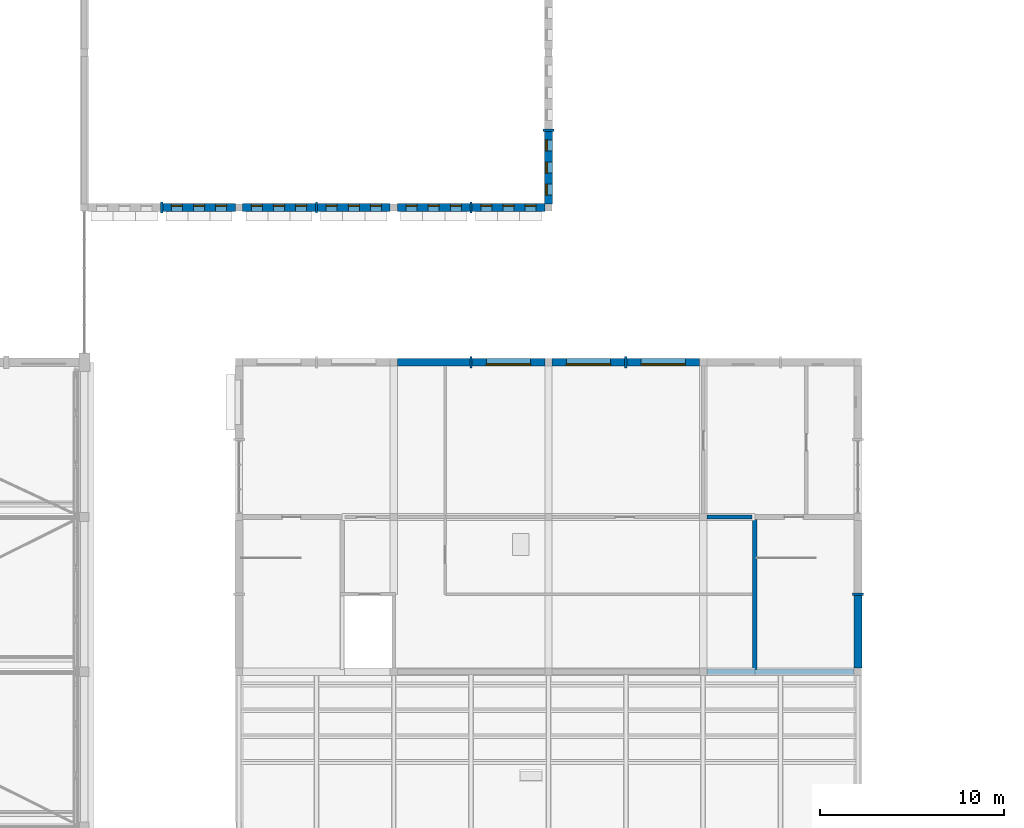
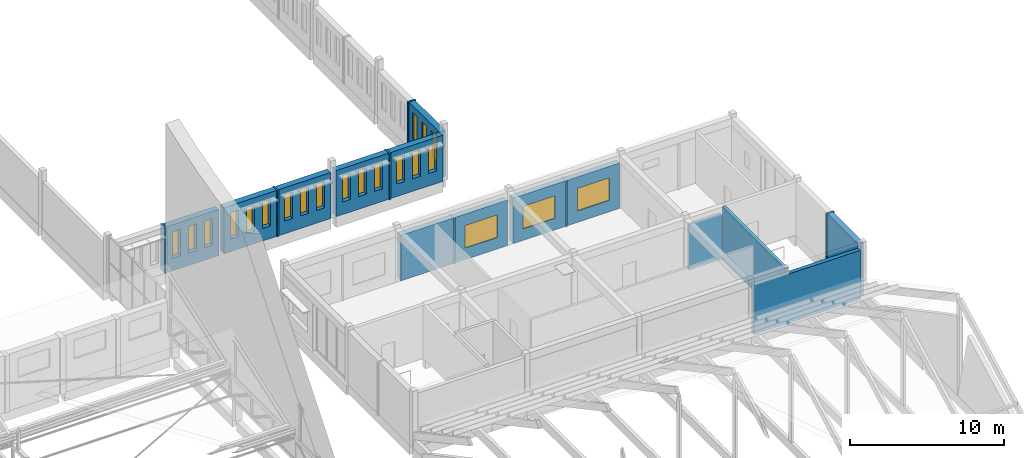
# One storey, part 86 of 101: 21 walls, 21 windows, 21 openings.
"""IFC4 building model written with IfcOpenShell, lengths in metres."""

from ifc_helpers import new_model, si_unit, direction, frame, frame_2d, origin, place, context, subcontext, project, spatial, rectangle, extrude, material, layer, layer_set, type_object, element, fill, save


model = new_model("IFC4")

# Units and contexts
model_context = context("Model", 3, precision=1e-05, world=origin(), true_north=direction((0.0, 1.0)))
body_context = subcontext(model_context, "Body", "Model", "MODEL_VIEW")
ifc_project = project(units=[si_unit("LENGTHUNIT", "METRE"), si_unit("AREAUNIT", "SQUARE_METRE"), si_unit("VOLUMEUNIT", "CUBIC_METRE"), si_unit("PLANEANGLEUNIT", "RADIAN"), si_unit("MASSUNIT", "GRAM", prefix="KILO")], contexts=[model_context])

# Site, building, storey
site_placement = place(None, origin())
site = spatial("IfcSite", under=ifc_project, at=site_placement, CompositionType="ELEMENT")
building_placement = place(site_placement, origin())
building = spatial("IfcBuilding", under=site, at=building_placement, Name="Fescue Hill Polytechnic", CompositionType="ELEMENT")
storey_placement = place(building_placement, frame((0.0, 0.0, 9.0)))
storey = spatial("IfcBuildingStorey", under=building, at=storey_placement, Name="L02", CompositionType="ELEMENT", Elevation=9.0)

# Wall
ifc_material_1 = material(Name="Concrete 40 MPa", Category="concrete")
ifc_layer_1 = layer(ifc_material_1, 0.25)
ifc_layer_set_1 = layer_set([ifc_layer_1], Name="Concrete 40 MPa")
wall_type_1 = type_object("IfcWallType", Name="Core wall 250", PredefinedType="SHEAR", material=ifc_layer_set_1)
wall_1_placement = place(storey_placement, frame((154.0, 33.72509765625, 0.0), z_axis=(0.0, 0.0, 1.0), x_axis=(0.0, 1.0, 0.0)))
element("IfcWall", 1, at=wall_1_placement, inside=storey, type_object=wall_type_1, Name="CW-L02-ST-V3-2-31", PredefinedType="SHEAR", context=body_context, shape_type="SweptSolid", body=[
    extrude(rectangle(XDim=8.14990234375, YDim=0.25, at=frame_2d((4.074951171875, 0.0))), origin(), (0.0, 0.0, 1.0), 4.199951171875),
])

# Wall, openings, windows
ifc_layer_2 = layer(ifc_material_1, 0.449951171875)
ifc_layer_set_2 = layer_set([ifc_layer_2], Name="Concrete 40 MPa")
wall_type_2 = type_object("IfcWallType", Name="Exterior wall board-marked concrete 450", PredefinedType="SOLIDWALL", material=ifc_layer_set_2)
wall_2_placement = place(storey_placement, frame((121.860107421875, 58.800048828125, 0.0), z_axis=(0.0, 0.0, 1.0), x_axis=(1.0, 0.0, 0.0)))
wall_2 = element("IfcWall", 2, at=wall_2_placement, inside=storey, type_object=wall_type_2, Name="EW-L02-V2-15", PredefinedType="SOLIDWALL", context=body_context, shape_type="SweptSolid", body=[
    extrude(rectangle(XDim=3.93994140625, YDim=0.449951171875, at=frame_2d((1.969970703125, 0.0))), origin(), (0.0, 0.0, 1.0), 3.64990234375),
])
opening_1_placement = place(wall_2_placement, frame((0.469970703125, 0.0, 1.0)))
opening_1 = element("IfcOpeningElement", 3, at=opening_1_placement, cuts=wall_2, Name="Opening W6", PredefinedType="OPENING", context=body_context, shape_type="SweptSolid", body=[
    extrude(rectangle(XDim=0.60009765625, YDim=2.10009765625, at=frame_2d((0.300048828125, 1.050048828125))), frame((0.0, 0.23486328125, 0.0), z_axis=(0.0, -1.0, 0.0), x_axis=(1.0, 0.0, 0.0)), (0.0, 0.0, 1.0), 0.469970703125),
])
opening_2_placement = place(wall_2_placement, frame((1.669921875, 0.0, 1.0)))
opening_2 = element("IfcOpeningElement", 4, at=opening_2_placement, cuts=wall_2, Name="Opening W6", PredefinedType="OPENING", context=body_context, shape_type="SweptSolid", body=[
    extrude(rectangle(XDim=0.60009765625, YDim=2.10009765625, at=frame_2d((0.300048828125, 1.050048828125))), frame((0.0, 0.23486328125, 0.0), z_axis=(0.0, -1.0, 0.0), x_axis=(1.0, 0.0, 0.0)), (0.0, 0.0, 1.0), 0.469970703125),
])
opening_3_placement = place(wall_2_placement, frame((2.8701171875, 0.0, 1.0)))
opening_3 = element("IfcOpeningElement", 5, at=opening_3_placement, cuts=wall_2, Name="Opening W6", PredefinedType="OPENING", context=body_context, shape_type="SweptSolid", body=[
    extrude(rectangle(XDim=0.60009765625, YDim=2.10009765625, at=frame_2d((0.300048828125, 1.050048828125))), frame((0.0, 0.23486328125, 0.0), z_axis=(0.0, -1.0, 0.0), x_axis=(1.0, 0.0, 0.0)), (0.0, 0.0, 1.0), 0.469970703125),
])
ifc_material_2 = material(Name="Powder-coated aluminium and glass", Category="aluminium")
window_type_1 = type_object("IfcWindowType", Name="Window slot 600x2100", PartitioningType="SINGLE_PANEL", PredefinedType="WINDOW", material=ifc_material_2)
window_1_placement = place(opening_1_placement, origin())
window_1 = element("IfcWindow", 6, at=window_1_placement, inside=storey, type_object=window_type_1, Name="WN-L02-V2-10", OverallHeight=2.10009765625, OverallWidth=0.60009765625, PartitioningType="SINGLE_PANEL", PredefinedType="WINDOW", context=body_context, shape_type="SweptSolid", body=[
    extrude(rectangle(XDim=0.60009765625, YDim=2.10009765625, at=frame_2d((0.300048828125, 1.050048828125))), frame((0.0, 0.135009765625, 0.0), z_axis=(0.0, -1.0, 0.0), x_axis=(1.0, 0.0, 0.0)), (0.0, 0.0, 1.0), 0.06005859375),
])
fill(opening_1, window_1)
window_2_placement = place(opening_2_placement, origin())
window_2 = element("IfcWindow", 7, at=window_2_placement, inside=storey, type_object=window_type_1, Name="WN-L02-V2-11", OverallHeight=2.10009765625, OverallWidth=0.60009765625, PartitioningType="SINGLE_PANEL", PredefinedType="WINDOW", context=body_context, shape_type="SweptSolid", body=[
    extrude(rectangle(XDim=0.60009765625, YDim=2.10009765625, at=frame_2d((0.300048828125, 1.050048828125))), frame((0.0, 0.135009765625, 0.0), z_axis=(0.0, -1.0, 0.0), x_axis=(1.0, 0.0, 0.0)), (0.0, 0.0, 1.0), 0.06005859375),
])
fill(opening_2, window_2)
window_3_placement = place(opening_3_placement, origin())
window_3 = element("IfcWindow", 8, at=window_3_placement, inside=storey, type_object=window_type_1, Name="WN-L02-V2-12", OverallHeight=2.10009765625, OverallWidth=0.60009765625, PartitioningType="SINGLE_PANEL", PredefinedType="WINDOW", context=body_context, shape_type="SweptSolid", body=[
    extrude(rectangle(XDim=0.60009765625, YDim=2.10009765625, at=frame_2d((0.300048828125, 1.050048828125))), frame((0.0, 0.135009765625, 0.0), z_axis=(0.0, -1.0, 0.0), x_axis=(1.0, 0.0, 0.0)), (0.0, 0.0, 1.0), 0.06005859375),
])
fill(opening_3, window_3)

wall_3_placement = place(storey_placement, frame((126.199951171875, 58.800048828125, 0.0), z_axis=(0.0, 0.0, 1.0), x_axis=(1.0, 0.0, 0.0)))
wall_3 = element("IfcWall", 9, at=wall_3_placement, inside=storey, type_object=wall_type_2, Name="EW-L02-V2-16", PredefinedType="SOLIDWALL", context=body_context, shape_type="SweptSolid", body=[
    extrude(rectangle(XDim=3.93994140625, YDim=0.449951171875, at=frame_2d((1.969970703125, 0.0))), origin(), (0.0, 0.0, 1.0), 3.64990234375),
])
opening_4_placement = place(wall_3_placement, frame((0.469970703125, 0.0, 1.0)))
opening_4 = element("IfcOpeningElement", 10, at=opening_4_placement, cuts=wall_3, Name="Opening W6", PredefinedType="OPENING", context=body_context, shape_type="SweptSolid", body=[
    extrude(rectangle(XDim=0.60009765625, YDim=2.10009765625, at=frame_2d((0.300048828125, 1.050048828125))), frame((0.0, 0.23486328125, 0.0), z_axis=(0.0, -1.0, 0.0), x_axis=(1.0, 0.0, 0.0)), (0.0, 0.0, 1.0), 0.469970703125),
])
opening_5_placement = place(wall_3_placement, frame((1.669921875, 0.0, 1.0)))
opening_5 = element("IfcOpeningElement", 11, at=opening_5_placement, cuts=wall_3, Name="Opening W6", PredefinedType="OPENING", context=body_context, shape_type="SweptSolid", body=[
    extrude(rectangle(XDim=0.60009765625, YDim=2.10009765625, at=frame_2d((0.300048828125, 1.050048828125))), frame((0.0, 0.23486328125, 0.0), z_axis=(0.0, -1.0, 0.0), x_axis=(1.0, 0.0, 0.0)), (0.0, 0.0, 1.0), 0.469970703125),
])
opening_6_placement = place(wall_3_placement, frame((2.8701171875, 0.0, 1.0)))
opening_6 = element("IfcOpeningElement", 12, at=opening_6_placement, cuts=wall_3, Name="Opening W6", PredefinedType="OPENING", context=body_context, shape_type="SweptSolid", body=[
    extrude(rectangle(XDim=0.60009765625, YDim=2.10009765625, at=frame_2d((0.300048828125, 1.050048828125))), frame((0.0, 0.23486328125, 0.0), z_axis=(0.0, -1.0, 0.0), x_axis=(1.0, 0.0, 0.0)), (0.0, 0.0, 1.0), 0.469970703125),
])
window_4_placement = place(opening_4_placement, origin())
window_4 = element("IfcWindow", 13, at=window_4_placement, inside=storey, type_object=window_type_1, Name="WN-L02-V2-13", OverallHeight=2.10009765625, OverallWidth=0.60009765625, PartitioningType="SINGLE_PANEL", PredefinedType="WINDOW", context=body_context, shape_type="SweptSolid", body=[
    extrude(rectangle(XDim=0.60009765625, YDim=2.10009765625, at=frame_2d((0.300048828125, 1.050048828125))), frame((0.0, 0.135009765625, 0.0), z_axis=(0.0, -1.0, 0.0), x_axis=(1.0, 0.0, 0.0)), (0.0, 0.0, 1.0), 0.06005859375),
])
fill(opening_4, window_4)
window_5_placement = place(opening_5_placement, origin())
window_5 = element("IfcWindow", 14, at=window_5_placement, inside=storey, type_object=window_type_1, Name="WN-L02-V2-14", OverallHeight=2.10009765625, OverallWidth=0.60009765625, PartitioningType="SINGLE_PANEL", PredefinedType="WINDOW", context=body_context, shape_type="SweptSolid", body=[
    extrude(rectangle(XDim=0.60009765625, YDim=2.10009765625, at=frame_2d((0.300048828125, 1.050048828125))), frame((0.0, 0.135009765625, 0.0), z_axis=(0.0, -1.0, 0.0), x_axis=(1.0, 0.0, 0.0)), (0.0, 0.0, 1.0), 0.06005859375),
])
fill(opening_5, window_5)
window_6_placement = place(opening_6_placement, origin())
window_6 = element("IfcWindow", 15, at=window_6_placement, inside=storey, type_object=window_type_1, Name="WN-L02-V2-15", OverallHeight=2.10009765625, OverallWidth=0.60009765625, PartitioningType="SINGLE_PANEL", PredefinedType="WINDOW", context=body_context, shape_type="SweptSolid", body=[
    extrude(rectangle(XDim=0.60009765625, YDim=2.10009765625, at=frame_2d((0.300048828125, 1.050048828125))), frame((0.0, 0.135009765625, 0.0), z_axis=(0.0, -1.0, 0.0), x_axis=(1.0, 0.0, 0.0)), (0.0, 0.0, 1.0), 0.06005859375),
])
fill(opening_6, window_6)

wall_4_placement = place(storey_placement, frame((130.260009765625, 58.800048828125, 0.0), z_axis=(0.0, 0.0, 1.0), x_axis=(1.0, 0.0, 0.0)))
wall_4 = element("IfcWall", 16, at=wall_4_placement, inside=storey, type_object=wall_type_2, Name="EW-L02-V2-17", PredefinedType="SOLIDWALL", context=body_context, shape_type="SweptSolid", body=[
    extrude(rectangle(XDim=3.93994140625, YDim=0.449951171875, at=frame_2d((1.969970703125, 0.0))), origin(), (0.0, 0.0, 1.0), 3.64990234375),
])
opening_7_placement = place(wall_4_placement, frame((0.469970703125, 0.0, 1.0)))
opening_7 = element("IfcOpeningElement", 17, at=opening_7_placement, cuts=wall_4, Name="Opening W6", PredefinedType="OPENING", context=body_context, shape_type="SweptSolid", body=[
    extrude(rectangle(XDim=0.60009765625, YDim=2.10009765625, at=frame_2d((0.300048828125, 1.050048828125))), frame((0.0, 0.23486328125, 0.0), z_axis=(0.0, -1.0, 0.0), x_axis=(1.0, 0.0, 0.0)), (0.0, 0.0, 1.0), 0.469970703125),
])
opening_8_placement = place(wall_4_placement, frame((1.669921875, 0.0, 1.0)))
opening_8 = element("IfcOpeningElement", 18, at=opening_8_placement, cuts=wall_4, Name="Opening W6", PredefinedType="OPENING", context=body_context, shape_type="SweptSolid", body=[
    extrude(rectangle(XDim=0.60009765625, YDim=2.10009765625, at=frame_2d((0.300048828125, 1.050048828125))), frame((0.0, 0.23486328125, 0.0), z_axis=(0.0, -1.0, 0.0), x_axis=(1.0, 0.0, 0.0)), (0.0, 0.0, 1.0), 0.469970703125),
])
opening_9_placement = place(wall_4_placement, frame((2.8701171875, 0.0, 1.0)))
opening_9 = element("IfcOpeningElement", 19, at=opening_9_placement, cuts=wall_4, Name="Opening W6", PredefinedType="OPENING", context=body_context, shape_type="SweptSolid", body=[
    extrude(rectangle(XDim=0.60009765625, YDim=2.10009765625, at=frame_2d((0.300048828125, 1.050048828125))), frame((0.0, 0.23486328125, 0.0), z_axis=(0.0, -1.0, 0.0), x_axis=(1.0, 0.0, 0.0)), (0.0, 0.0, 1.0), 0.469970703125),
])
window_7_placement = place(opening_7_placement, origin())
window_7 = element("IfcWindow", 20, at=window_7_placement, inside=storey, type_object=window_type_1, Name="WN-L02-V2-16", OverallHeight=2.10009765625, OverallWidth=0.60009765625, PartitioningType="SINGLE_PANEL", PredefinedType="WINDOW", context=body_context, shape_type="SweptSolid", body=[
    extrude(rectangle(XDim=0.60009765625, YDim=2.10009765625, at=frame_2d((0.300048828125, 1.050048828125))), frame((0.0, 0.135009765625, 0.0), z_axis=(0.0, -1.0, 0.0), x_axis=(1.0, 0.0, 0.0)), (0.0, 0.0, 1.0), 0.06005859375),
])
fill(opening_7, window_7)
window_8_placement = place(opening_8_placement, origin())
window_8 = element("IfcWindow", 21, at=window_8_placement, inside=storey, type_object=window_type_1, Name="WN-L02-V2-17", OverallHeight=2.10009765625, OverallWidth=0.60009765625, PartitioningType="SINGLE_PANEL", PredefinedType="WINDOW", context=body_context, shape_type="SweptSolid", body=[
    extrude(rectangle(XDim=0.60009765625, YDim=2.10009765625, at=frame_2d((0.300048828125, 1.050048828125))), frame((0.0, 0.135009765625, 0.0), z_axis=(0.0, -1.0, 0.0), x_axis=(1.0, 0.0, 0.0)), (0.0, 0.0, 1.0), 0.06005859375),
])
fill(opening_8, window_8)
window_9_placement = place(opening_9_placement, origin())
window_9 = element("IfcWindow", 22, at=window_9_placement, inside=storey, type_object=window_type_1, Name="WN-L02-V2-18", OverallHeight=2.10009765625, OverallWidth=0.60009765625, PartitioningType="SINGLE_PANEL", PredefinedType="WINDOW", context=body_context, shape_type="SweptSolid", body=[
    extrude(rectangle(XDim=0.60009765625, YDim=2.10009765625, at=frame_2d((0.300048828125, 1.050048828125))), frame((0.0, 0.135009765625, 0.0), z_axis=(0.0, -1.0, 0.0), x_axis=(1.0, 0.0, 0.0)), (0.0, 0.0, 1.0), 0.06005859375),
])
fill(opening_9, window_9)

wall_5_placement = place(storey_placement, frame((134.60009765625, 58.800048828125, 0.0), z_axis=(0.0, 0.0, 1.0), x_axis=(1.0, 0.0, 0.0)))
wall_5 = element("IfcWall", 23, at=wall_5_placement, inside=storey, type_object=wall_type_2, Name="EW-L02-V2-18", PredefinedType="SOLIDWALL", context=body_context, shape_type="SweptSolid", body=[
    extrude(rectangle(XDim=3.93994140625, YDim=0.449951171875, at=frame_2d((1.969970703125, 0.0))), origin(), (0.0, 0.0, 1.0), 3.64990234375),
])
opening_10_placement = place(wall_5_placement, frame((0.469970703125, 0.0, 1.0)))
opening_10 = element("IfcOpeningElement", 24, at=opening_10_placement, cuts=wall_5, Name="Opening W6", PredefinedType="OPENING", context=body_context, shape_type="SweptSolid", body=[
    extrude(rectangle(XDim=0.60009765625, YDim=2.10009765625, at=frame_2d((0.300048828125, 1.050048828125))), frame((0.0, 0.23486328125, 0.0), z_axis=(0.0, -1.0, 0.0), x_axis=(1.0, 0.0, 0.0)), (0.0, 0.0, 1.0), 0.469970703125),
])
opening_11_placement = place(wall_5_placement, frame((1.669921875, 0.0, 1.0)))
opening_11 = element("IfcOpeningElement", 25, at=opening_11_placement, cuts=wall_5, Name="Opening W6", PredefinedType="OPENING", context=body_context, shape_type="SweptSolid", body=[
    extrude(rectangle(XDim=0.60009765625, YDim=2.10009765625, at=frame_2d((0.300048828125, 1.050048828125))), frame((0.0, 0.23486328125, 0.0), z_axis=(0.0, -1.0, 0.0), x_axis=(1.0, 0.0, 0.0)), (0.0, 0.0, 1.0), 0.469970703125),
])
opening_12_placement = place(wall_5_placement, frame((2.8701171875, 0.0, 1.0)))
opening_12 = element("IfcOpeningElement", 26, at=opening_12_placement, cuts=wall_5, Name="Opening W6", PredefinedType="OPENING", context=body_context, shape_type="SweptSolid", body=[
    extrude(rectangle(XDim=0.60009765625, YDim=2.10009765625, at=frame_2d((0.300048828125, 1.050048828125))), frame((0.0, 0.23486328125, 0.0), z_axis=(0.0, -1.0, 0.0), x_axis=(1.0, 0.0, 0.0)), (0.0, 0.0, 1.0), 0.469970703125),
])
window_10_placement = place(opening_10_placement, origin())
window_10 = element("IfcWindow", 27, at=window_10_placement, inside=storey, type_object=window_type_1, Name="WN-L02-V2-19", OverallHeight=2.10009765625, OverallWidth=0.60009765625, PartitioningType="SINGLE_PANEL", PredefinedType="WINDOW", context=body_context, shape_type="SweptSolid", body=[
    extrude(rectangle(XDim=0.60009765625, YDim=2.10009765625, at=frame_2d((0.300048828125, 1.050048828125))), frame((0.0, 0.135009765625, 0.0), z_axis=(0.0, -1.0, 0.0), x_axis=(1.0, 0.0, 0.0)), (0.0, 0.0, 1.0), 0.06005859375),
])
fill(opening_10, window_10)
window_11_placement = place(opening_11_placement, origin())
window_11 = element("IfcWindow", 28, at=window_11_placement, inside=storey, type_object=window_type_1, Name="WN-L02-V2-20", OverallHeight=2.10009765625, OverallWidth=0.60009765625, PartitioningType="SINGLE_PANEL", PredefinedType="WINDOW", context=body_context, shape_type="SweptSolid", body=[
    extrude(rectangle(XDim=0.60009765625, YDim=2.10009765625, at=frame_2d((0.300048828125, 1.050048828125))), frame((0.0, 0.135009765625, 0.0), z_axis=(0.0, -1.0, 0.0), x_axis=(1.0, 0.0, 0.0)), (0.0, 0.0, 1.0), 0.06005859375),
])
fill(opening_11, window_11)
window_12_placement = place(opening_12_placement, origin())
window_12 = element("IfcWindow", 29, at=window_12_placement, inside=storey, type_object=window_type_1, Name="WN-L02-V2-21", OverallHeight=2.10009765625, OverallWidth=0.60009765625, PartitioningType="SINGLE_PANEL", PredefinedType="WINDOW", context=body_context, shape_type="SweptSolid", body=[
    extrude(rectangle(XDim=0.60009765625, YDim=2.10009765625, at=frame_2d((0.300048828125, 1.050048828125))), frame((0.0, 0.135009765625, 0.0), z_axis=(0.0, -1.0, 0.0), x_axis=(1.0, 0.0, 0.0)), (0.0, 0.0, 1.0), 0.06005859375),
])
fill(opening_12, window_12)

wall_6_placement = place(storey_placement, frame((138.659912109375, 58.800048828125, 0.0), z_axis=(0.0, 0.0, 1.0), x_axis=(1.0, 0.0, 0.0)))
wall_6 = element("IfcWall", 30, at=wall_6_placement, inside=storey, type_object=wall_type_2, Name="EW-L02-V2-19", PredefinedType="SOLIDWALL", context=body_context, shape_type="SweptSolid", body=[
    extrude(rectangle(XDim=3.940185546875, YDim=0.449951171875, at=frame_2d((1.97021484375, 0.0))), origin(), (0.0, 0.0, 1.0), 3.64990234375),
])
opening_13_placement = place(wall_6_placement, frame((0.469970703125, 0.0, 1.0)))
opening_13 = element("IfcOpeningElement", 31, at=opening_13_placement, cuts=wall_6, Name="Opening W6", PredefinedType="OPENING", context=body_context, shape_type="SweptSolid", body=[
    extrude(rectangle(XDim=0.60009765625, YDim=2.10009765625, at=frame_2d((0.300048828125, 1.050048828125))), frame((0.0, 0.23486328125, 0.0), z_axis=(0.0, -1.0, 0.0), x_axis=(1.0, 0.0, 0.0)), (0.0, 0.0, 1.0), 0.469970703125),
])
opening_14_placement = place(wall_6_placement, frame((1.669921875, 0.0, 1.0)))
opening_14 = element("IfcOpeningElement", 32, at=opening_14_placement, cuts=wall_6, Name="Opening W6", PredefinedType="OPENING", context=body_context, shape_type="SweptSolid", body=[
    extrude(rectangle(XDim=0.60009765625, YDim=2.10009765625, at=frame_2d((0.300048828125, 1.050048828125))), frame((0.0, 0.23486328125, 0.0), z_axis=(0.0, -1.0, 0.0), x_axis=(1.0, 0.0, 0.0)), (0.0, 0.0, 1.0), 0.469970703125),
])
opening_15_placement = place(wall_6_placement, frame((2.8701171875, 0.0, 1.0)))
opening_15 = element("IfcOpeningElement", 33, at=opening_15_placement, cuts=wall_6, Name="Opening W6", PredefinedType="OPENING", context=body_context, shape_type="SweptSolid", body=[
    extrude(rectangle(XDim=0.60009765625, YDim=2.10009765625, at=frame_2d((0.300048828125, 1.050048828125))), frame((0.0, 0.23486328125, 0.0), z_axis=(0.0, -1.0, 0.0), x_axis=(1.0, 0.0, 0.0)), (0.0, 0.0, 1.0), 0.469970703125),
])
window_13_placement = place(opening_13_placement, origin())
window_13 = element("IfcWindow", 34, at=window_13_placement, inside=storey, type_object=window_type_1, Name="WN-L02-V2-22", OverallHeight=2.10009765625, OverallWidth=0.60009765625, PartitioningType="SINGLE_PANEL", PredefinedType="WINDOW", context=body_context, shape_type="SweptSolid", body=[
    extrude(rectangle(XDim=0.60009765625, YDim=2.10009765625, at=frame_2d((0.300048828125, 1.050048828125))), frame((0.0, 0.135009765625, 0.0), z_axis=(0.0, -1.0, 0.0), x_axis=(1.0, 0.0, 0.0)), (0.0, 0.0, 1.0), 0.06005859375),
])
fill(opening_13, window_13)
window_14_placement = place(opening_14_placement, origin())
window_14 = element("IfcWindow", 35, at=window_14_placement, inside=storey, type_object=window_type_1, Name="WN-L02-V2-23", OverallHeight=2.10009765625, OverallWidth=0.60009765625, PartitioningType="SINGLE_PANEL", PredefinedType="WINDOW", context=body_context, shape_type="SweptSolid", body=[
    extrude(rectangle(XDim=0.60009765625, YDim=2.10009765625, at=frame_2d((0.300048828125, 1.050048828125))), frame((0.0, 0.135009765625, 0.0), z_axis=(0.0, -1.0, 0.0), x_axis=(1.0, 0.0, 0.0)), (0.0, 0.0, 1.0), 0.06005859375),
])
fill(opening_14, window_14)
window_15_placement = place(opening_15_placement, origin())
window_15 = element("IfcWindow", 36, at=window_15_placement, inside=storey, type_object=window_type_1, Name="WN-L02-V2-24", OverallHeight=2.10009765625, OverallWidth=0.60009765625, PartitioningType="SINGLE_PANEL", PredefinedType="WINDOW", context=body_context, shape_type="SweptSolid", body=[
    extrude(rectangle(XDim=0.60009765625, YDim=2.10009765625, at=frame_2d((0.300048828125, 1.050048828125))), frame((0.0, 0.135009765625, 0.0), z_axis=(0.0, -1.0, 0.0), x_axis=(1.0, 0.0, 0.0)), (0.0, 0.0, 1.0), 0.06005859375),
])
fill(opening_15, window_15)

wall_7_placement = place(storey_placement, frame((142.800048828125, 59.0, 0.0), z_axis=(0.0, 0.0, 1.0), x_axis=(0.0, 1.0, 0.0)))
wall_7 = element("IfcWall", 37, at=wall_7_placement, inside=storey, type_object=wall_type_2, Name="EW-L02-V2-20", PredefinedType="SOLIDWALL", context=body_context, shape_type="SweptSolid", body=[
    extrude(rectangle(XDim=3.93994140625, YDim=0.449951171875, at=frame_2d((1.969970703125, 0.0))), origin(), (0.0, 0.0, 1.0), 3.64990234375),
])
opening_16_placement = place(wall_7_placement, frame((0.469970703125, 0.0, 1.0)))
opening_16 = element("IfcOpeningElement", 38, at=opening_16_placement, cuts=wall_7, Name="Opening W6", PredefinedType="OPENING", context=body_context, shape_type="SweptSolid", body=[
    extrude(rectangle(XDim=0.60009765625, YDim=2.10009765625, at=frame_2d((0.300048828125, 1.050048828125))), frame((0.0, 0.23486328125, 0.0), z_axis=(0.0, -1.0, 0.0), x_axis=(1.0, 0.0, 0.0)), (0.0, 0.0, 1.0), 0.469970703125),
])
opening_17_placement = place(wall_7_placement, frame((1.669921875, 0.0, 1.0)))
opening_17 = element("IfcOpeningElement", 39, at=opening_17_placement, cuts=wall_7, Name="Opening W6", PredefinedType="OPENING", context=body_context, shape_type="SweptSolid", body=[
    extrude(rectangle(XDim=0.60009765625, YDim=2.10009765625, at=frame_2d((0.300048828125, 1.050048828125))), frame((0.0, 0.23486328125, 0.0), z_axis=(0.0, -1.0, 0.0), x_axis=(1.0, 0.0, 0.0)), (0.0, 0.0, 1.0), 0.469970703125),
])
opening_18_placement = place(wall_7_placement, frame((2.8701171875, 0.0, 1.0)))
opening_18 = element("IfcOpeningElement", 40, at=opening_18_placement, cuts=wall_7, Name="Opening W6", PredefinedType="OPENING", context=body_context, shape_type="SweptSolid", body=[
    extrude(rectangle(XDim=0.60009765625, YDim=2.10009765625, at=frame_2d((0.300048828125, 1.050048828125))), frame((0.0, 0.23486328125, 0.0), z_axis=(0.0, -1.0, 0.0), x_axis=(1.0, 0.0, 0.0)), (0.0, 0.0, 1.0), 0.469970703125),
])
window_16_placement = place(opening_16_placement, origin())
window_16 = element("IfcWindow", 41, at=window_16_placement, inside=storey, type_object=window_type_1, Name="WN-L02-V2-25", OverallHeight=2.10009765625, OverallWidth=0.60009765625, PartitioningType="SINGLE_PANEL", PredefinedType="WINDOW", context=body_context, shape_type="SweptSolid", body=[
    extrude(rectangle(XDim=0.60009765625, YDim=2.10009765625, at=frame_2d((0.300048828125, 1.050048828125))), frame((0.0, 0.135009765625, 0.0), z_axis=(0.0, -1.0, 0.0), x_axis=(1.0, 0.0, 0.0)), (0.0, 0.0, 1.0), 0.06005859375),
])
fill(opening_16, window_16)
window_17_placement = place(opening_17_placement, origin())
window_17 = element("IfcWindow", 42, at=window_17_placement, inside=storey, type_object=window_type_1, Name="WN-L02-V2-26", OverallHeight=2.10009765625, OverallWidth=0.60009765625, PartitioningType="SINGLE_PANEL", PredefinedType="WINDOW", context=body_context, shape_type="SweptSolid", body=[
    extrude(rectangle(XDim=0.60009765625, YDim=2.10009765625, at=frame_2d((0.300048828125, 1.050048828125))), frame((0.0, 0.135009765625, 0.0), z_axis=(0.0, -1.0, 0.0), x_axis=(1.0, 0.0, 0.0)), (0.0, 0.0, 1.0), 0.06005859375),
])
fill(opening_17, window_17)
window_18_placement = place(opening_18_placement, origin())
window_18 = element("IfcWindow", 43, at=window_18_placement, inside=storey, type_object=window_type_1, Name="WN-L02-V2-27", OverallHeight=2.10009765625, OverallWidth=0.60009765625, PartitioningType="SINGLE_PANEL", PredefinedType="WINDOW", context=body_context, shape_type="SweptSolid", body=[
    extrude(rectangle(XDim=0.60009765625, YDim=2.10009765625, at=frame_2d((0.300048828125, 1.050048828125))), frame((0.0, 0.135009765625, 0.0), z_axis=(0.0, -1.0, 0.0), x_axis=(1.0, 0.0, 0.0)), (0.0, 0.0, 1.0), 0.06005859375),
])
fill(opening_18, window_18)

# Wall, opening, window
ifc_material_3 = material(Name="Clay brick masonry", Category="masonry")
ifc_layer_3 = layer(ifc_material_3, 0.419921875)
ifc_layer_set_3 = layer_set([ifc_layer_3], Name="Clay brick masonry")
wall_type_3 = type_object("IfcWallType", Name="Exterior wall buff-red brick cavity 420", PredefinedType="SOLIDWALL", material=ifc_layer_set_3)
wall_8_placement = place(storey_placement, frame((151.0, 50.39990234375, 0.0), z_axis=(0.0, 0.0, 1.0), x_axis=(-1.0, 0.0, 0.0)))
wall_8 = element("IfcWall", 44, at=wall_8_placement, inside=storey, type_object=wall_type_3, Name="EW-L02-V3-7", PredefinedType="SOLIDWALL", context=body_context, shape_type="SweptSolid", body=[
    extrude(rectangle(XDim=3.93994140625, YDim=0.419921875, at=frame_2d((1.969970703125, 0.0))), origin(), (0.0, 0.0, 1.0), 3.60009765625),
])
opening_19_placement = place(wall_8_placement, frame((0.77001953125, 0.0, 0.89990234375)))
opening_19 = element("IfcOpeningElement", 45, at=opening_19_placement, cuts=wall_8, Name="Opening W8", PredefinedType="OPENING", context=body_context, shape_type="SweptSolid", body=[
    extrude(rectangle(XDim=2.39990234375, YDim=1.800048828125, at=frame_2d((1.199951171875, 0.89990234375))), frame((0.0, 0.219970703125, 0.0), z_axis=(0.0, -1.0, 0.0), x_axis=(1.0, 0.0, 0.0)), (0.0, 0.0, 1.0), 0.43994140625),
])
window_type_2 = type_object("IfcWindowType", Name="Window union 2400x1800", PartitioningType="TRIPLE_PANEL_VERTICAL", PredefinedType="WINDOW", material=ifc_material_2)
window_19_placement = place(opening_19_placement, origin())
window_19 = element("IfcWindow", 46, at=window_19_placement, inside=storey, type_object=window_type_2, Name="WN-L02-V3-4", OverallHeight=1.800048828125, OverallWidth=2.39990234375, PartitioningType="SINGLE_PANEL", PredefinedType="WINDOW", context=body_context, shape_type="SweptSolid", body=[
    extrude(rectangle(XDim=2.39990234375, YDim=1.800048828125, at=frame_2d((1.199951171875, 0.89990234375))), frame((0.0, 0.150146484375, 0.0), z_axis=(0.0, -1.0, 0.0), x_axis=(1.0, 0.0, 0.0)), (0.0, 0.0, 1.0), 0.06005859375),
])
fill(opening_19, window_19)

wall_9_placement = place(storey_placement, frame((146.93994140625, 50.39990234375, 0.0), z_axis=(0.0, 0.0, 1.0), x_axis=(-1.0, 0.0, 0.0)))
wall_9 = element("IfcWall", 47, at=wall_9_placement, inside=storey, type_object=wall_type_3, Name="EW-L02-V3-8", PredefinedType="SOLIDWALL", context=body_context, shape_type="SweptSolid", body=[
    extrude(rectangle(XDim=3.93994140625, YDim=0.419921875, at=frame_2d((1.969970703125, 0.0))), origin(), (0.0, 0.0, 1.0), 3.60009765625),
])
opening_20_placement = place(wall_9_placement, frame((0.77001953125, 0.0, 0.89990234375)))
opening_20 = element("IfcOpeningElement", 48, at=opening_20_placement, cuts=wall_9, Name="Opening W8", PredefinedType="OPENING", context=body_context, shape_type="SweptSolid", body=[
    extrude(rectangle(XDim=2.39990234375, YDim=1.800048828125, at=frame_2d((1.199951171875, 0.89990234375))), frame((0.0, 0.219970703125, 0.0), z_axis=(0.0, -1.0, 0.0), x_axis=(1.0, 0.0, 0.0)), (0.0, 0.0, 1.0), 0.43994140625),
])
window_20_placement = place(opening_20_placement, origin())
window_20 = element("IfcWindow", 49, at=window_20_placement, inside=storey, type_object=window_type_2, Name="WN-L02-V3-5", OverallHeight=1.800048828125, OverallWidth=2.39990234375, PartitioningType="SINGLE_PANEL", PredefinedType="WINDOW", context=body_context, shape_type="SweptSolid", body=[
    extrude(rectangle(XDim=2.39990234375, YDim=1.800048828125, at=frame_2d((1.199951171875, 0.89990234375))), frame((0.0, 0.150146484375, 0.0), z_axis=(0.0, -1.0, 0.0), x_axis=(1.0, 0.0, 0.0)), (0.0, 0.0, 1.0), 0.06005859375),
])
fill(opening_20, window_20)

wall_10_placement = place(storey_placement, frame((142.60009765625, 50.39990234375, 0.0), z_axis=(0.0, 0.0, 1.0), x_axis=(-1.0, 0.0, 0.0)))
wall_10 = element("IfcWall", 50, at=wall_10_placement, inside=storey, type_object=wall_type_3, Name="EW-L02-V3-9", PredefinedType="SOLIDWALL", context=body_context, shape_type="SweptSolid", body=[
    extrude(rectangle(XDim=3.940185546875, YDim=0.419921875, at=frame_2d((1.97021484375, 0.0))), origin(), (0.0, 0.0, 1.0), 3.60009765625),
])
opening_21_placement = place(wall_10_placement, frame((0.77001953125, 0.0, 0.89990234375)))
opening_21 = element("IfcOpeningElement", 51, at=opening_21_placement, cuts=wall_10, Name="Opening W8", PredefinedType="OPENING", context=body_context, shape_type="SweptSolid", body=[
    extrude(rectangle(XDim=2.39990234375, YDim=1.800048828125, at=frame_2d((1.199951171875, 0.89990234375))), frame((0.0, 0.219970703125, 0.0), z_axis=(0.0, -1.0, 0.0), x_axis=(1.0, 0.0, 0.0)), (0.0, 0.0, 1.0), 0.43994140625),
])
window_21_placement = place(opening_21_placement, origin())
window_21 = element("IfcWindow", 52, at=window_21_placement, inside=storey, type_object=window_type_2, Name="WN-L02-V3-6", OverallHeight=1.800048828125, OverallWidth=2.39990234375, PartitioningType="SINGLE_PANEL", PredefinedType="WINDOW", context=body_context, shape_type="SweptSolid", body=[
    extrude(rectangle(XDim=2.39990234375, YDim=1.800048828125, at=frame_2d((1.199951171875, 0.89990234375))), frame((0.0, 0.150146484375, 0.0), z_axis=(0.0, -1.0, 0.0), x_axis=(1.0, 0.0, 0.0)), (0.0, 0.0, 1.0), 0.06005859375),
])
fill(opening_21, window_21)

# Walls
wall_11_placement = place(storey_placement, frame((138.5400390625, 50.39990234375, 0.0), z_axis=(0.0, 0.0, 1.0), x_axis=(-1.0, 0.0, 0.0)))
element("IfcWall", 53, at=wall_11_placement, inside=storey, type_object=wall_type_3, Name="EW-L02-V3-10", PredefinedType="SOLIDWALL", context=body_context, shape_type="SweptSolid", body=[
    extrude(rectangle(XDim=3.93994140625, YDim=0.419921875, at=frame_2d((1.969970703125, 0.0))), origin(), (0.0, 0.0, 1.0), 3.60009765625),
])
ifc_layer_4 = layer(ifc_material_3, 0.419921875)
ifc_layer_set_4 = layer_set([ifc_layer_4], Name="Clay brick masonry")
wall_type_4 = type_object("IfcWallType", Name="Exterior wall buff-red brick cavity 420 load-bearing", PredefinedType="SOLIDWALL", material=ifc_layer_set_4)
wall_12_placement = place(storey_placement, frame((159.60009765625, 33.800048828125, 0.0), z_axis=(0.0, 0.0, 1.0), x_axis=(0.0, 1.0, 0.0)))
element("IfcWall", 54, at=wall_12_placement, inside=storey, type_object=wall_type_4, Name="EW-L02-V3-1", PredefinedType="SOLIDWALL", context=body_context, shape_type="SweptSolid", body=[
    extrude(rectangle(XDim=3.93994140625, YDim=0.419921875, at=frame_2d((1.969970703125, 0.0))), origin(), (0.0, 0.0, 1.0), 4.199951171875),
])
ifc_layer_5 = layer(ifc_material_1, 0.300048828125)
ifc_layer_set_5 = layer_set([ifc_layer_5], Name="Concrete 40 MPa")
wall_type_5 = type_object("IfcWallType", Name="Hall wall concrete 300 load-bearing REI 120", PredefinedType="SOLIDWALL", material=ifc_layer_set_5)
wall_13_placement = place(storey_placement, frame((151.39990234375, 33.60009765625, 0.0), z_axis=(0.0, 0.0, 1.0), x_axis=(1.0, 0.0, 0.0)))
element("IfcWall", 55, at=wall_13_placement, inside=storey, type_object=wall_type_5, Name="EW-L02-V3-20", PredefinedType="SOLIDWALL", context=body_context, shape_type="SweptSolid", body=[
    extrude(rectangle(XDim=8.0, YDim=0.300048828125, at=frame_2d((4.0, 0.0))), origin(), (0.0, 0.0, 1.0), 3.89990234375),
])
ifc_material_4 = material(Name="Concrete masonry block 15 MPa", Category="masonry")
ifc_layer_6 = layer(ifc_material_4, 0.199951171875)
ifc_layer_set_6 = layer_set([ifc_layer_6], Name="Concrete masonry block 15 MPa")
wall_type_6 = type_object("IfcWallType", Name="Plant room wall 200 block EI 60", PredefinedType="PARTITIONING", material=ifc_layer_set_6)
wall_14_placement = place(storey_placement, frame((151.39990234375, 42.0, 0.0), z_axis=(0.0, 0.0, 1.0), x_axis=(1.0, 0.0, 0.0)))
element("IfcWall", 56, at=wall_14_placement, inside=storey, type_object=wall_type_6, Name="IW-L02-026", PredefinedType="PARTITIONING", context=body_context, shape_type="SweptSolid", body=[
    extrude(rectangle(XDim=2.4501953125, YDim=0.199951171875, at=frame_2d((1.22509765625, 0.0))), origin(), (0.0, 0.0, 1.0), 3.60009765625),
])
ifc_material_5 = material(Name="Glulam 24f-EX", Category="wood")
ifc_layer_7 = layer(ifc_material_5, 0.60009765625)
ifc_layer_set_7 = layer_set([ifc_layer_7], Name="Glulam 24f-EX")
wall_type_7 = type_object("IfcWallType", Name="Timber fin 120x600", PredefinedType="SOLIDWALL", material=ifc_layer_set_7)
wall_15_placement = place(storey_placement, frame((159.60009765625, 37.739990234375, 0.0), z_axis=(0.0, 0.0, 1.0), x_axis=(0.0, 1.0, 0.0)))
element("IfcWall", 57, at=wall_15_placement, inside=storey, type_object=wall_type_7, Name="PR-L02-V3-1", PredefinedType="SOLIDWALL", context=body_context, shape_type="SweptSolid", body=[
    extrude(rectangle(XDim=0.1201171875, YDim=0.60009765625, at=frame_2d((0.06005859375, 0.0))), origin(), (0.0, 0.0, 1.0), 4.199951171875),
])
wall_16_placement = place(storey_placement, frame((147.06005859375, 50.39990234375, 0.0), z_axis=(0.0, 0.0, 1.0), x_axis=(-1.0, 0.0, 0.0)))
element("IfcWall", 58, at=wall_16_placement, inside=storey, type_object=wall_type_7, Name="PR-L02-V3-4", PredefinedType="SOLIDWALL", context=body_context, shape_type="SweptSolid", body=[
    extrude(rectangle(XDim=0.1201171875, YDim=0.60009765625, at=frame_2d((0.06005859375, 0.0))), origin(), (0.0, 0.0, 1.0), 3.60009765625),
])
wall_17_placement = place(storey_placement, frame((138.659912109375, 50.39990234375, 0.0), z_axis=(0.0, 0.0, 1.0), x_axis=(-1.0, 0.0, 0.0)))
element("IfcWall", 59, at=wall_17_placement, inside=storey, type_object=wall_type_7, Name="PR-L02-V3-5", PredefinedType="SOLIDWALL", context=body_context, shape_type="SweptSolid", body=[
    extrude(rectangle(XDim=0.119873046875, YDim=0.60009765625, at=frame_2d((0.06005859375, 0.0))), origin(), (0.0, 0.0, 1.0), 3.60009765625),
])
for number, where, z_axis, x_axis, name in (
    (60, (121.739990234375, 58.800048828125, 0.0), (0.0, 0.0, 1.0), (1.0, 0.0, 0.0), "PR-L02-V2-6"),
    (61, (130.139892578125, 58.800048828125, 0.0), (0.0, 0.0, 1.0), (1.0, 0.0, 0.0), "PR-L02-V2-7"),
):
    element("IfcWall", number, at=place(storey_placement, frame(where, z_axis=z_axis, x_axis=x_axis)), inside=storey, type_object=wall_type_7, Name=name, PredefinedType="SOLIDWALL", context=body_context, shape_type="SweptSolid", body=[
        extrude(rectangle(XDim=0.1201171875, YDim=0.60009765625, at=frame_2d((0.06005859375, 0.0))), origin(), (0.0, 0.0, 1.0), 3.64990234375),
    ])
wall_18_placement = place(storey_placement, frame((138.5400390625, 58.800048828125, 0.0), z_axis=(0.0, 0.0, 1.0), x_axis=(1.0, 0.0, 0.0)))
element("IfcWall", 62, at=wall_18_placement, inside=storey, type_object=wall_type_7, Name="PR-L02-V2-8", PredefinedType="SOLIDWALL", context=body_context, shape_type="SweptSolid", body=[
    extrude(rectangle(XDim=0.119873046875, YDim=0.60009765625, at=frame_2d((0.06005859375, 0.0))), origin(), (0.0, 0.0, 1.0), 3.64990234375),
])
wall_19_placement = place(storey_placement, frame((142.800048828125, 62.93994140625, 0.0), z_axis=(0.0, 0.0, 1.0), x_axis=(0.0, 1.0, 0.0)))
element("IfcWall", 63, at=wall_19_placement, inside=storey, type_object=wall_type_7, Name="PR-L02-V2-9", PredefinedType="SOLIDWALL", context=body_context, shape_type="SweptSolid", body=[
    extrude(rectangle(XDim=0.1201171875, YDim=0.60009765625, at=frame_2d((0.06005859375, 0.0))), origin(), (0.0, 0.0, 1.0), 3.64990234375),
])

save(model, "model.ifc")
